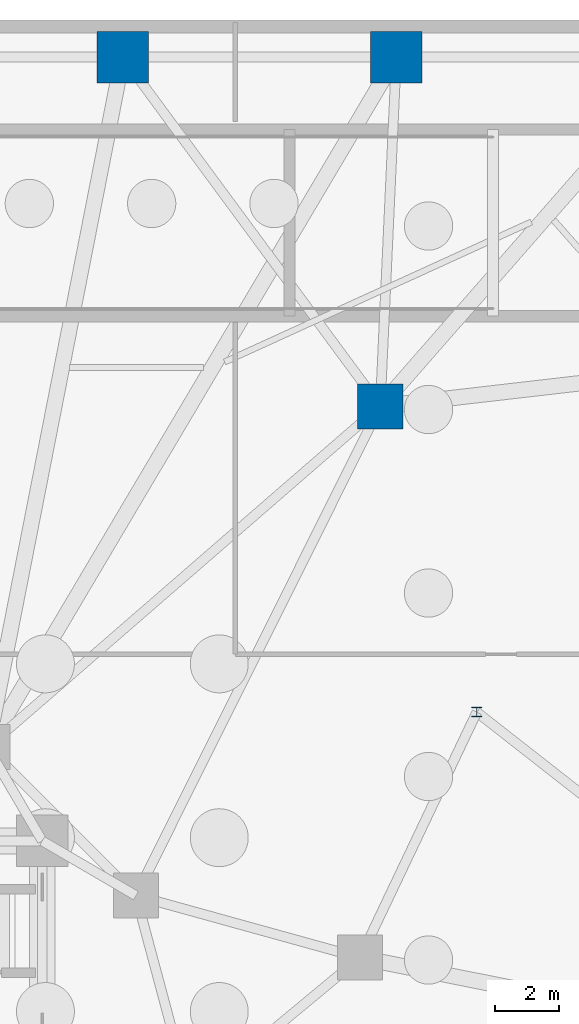
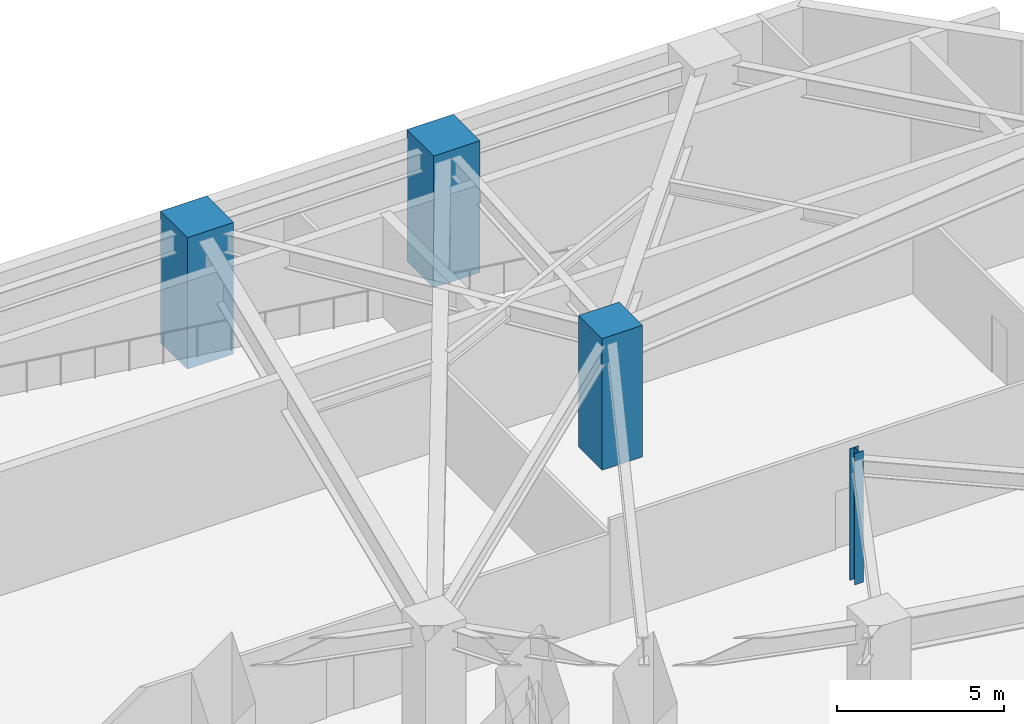
# One storey, part 7 of 20: 4 columns.
"""IFC4 building model written with IfcOpenShell, lengths in metres."""

from ifc_helpers import new_model, si_unit, direction, frame, origin, origin_2d, place, context, subcontext, project, spatial, rectangle, i_section, extrude, material, material_profile, profile_set, type_object, element, save


model = new_model("IFC4")

# Units and contexts
model_context = context("Model", 3, precision=1e-05, world=origin(), true_north=direction((0.0, 1.0)))
body_context = subcontext(model_context, "Body", "Model", "MODEL_VIEW")
ifc_project = project(units=[si_unit("LENGTHUNIT", "METRE"), si_unit("AREAUNIT", "SQUARE_METRE"), si_unit("VOLUMEUNIT", "CUBIC_METRE"), si_unit("PLANEANGLEUNIT", "RADIAN"), si_unit("MASSUNIT", "GRAM", prefix="KILO")], contexts=[model_context])

# Site, building, storey
site_placement = place(None, origin())
site = spatial("IfcSite", under=ifc_project, at=site_placement, CompositionType="ELEMENT")
building_placement = place(site_placement, origin())
building = spatial("IfcBuilding", under=site, at=building_placement, Name="Terralouvre Media Tower", CompositionType="ELEMENT")
storey_placement = place(building_placement, frame((0.0, 0.0, -9.60009765625)))
storey = spatial("IfcBuildingStorey", under=building, at=storey_placement, Name="B02", CompositionType="ELEMENT", Elevation=-9.60009765625)

# Columns
ifc_material_1 = material(Name="Structural steel S355J2", Category="steel")
ifc_material_profile_1 = material_profile(ifc_material_1, i_section(OverallWidth=0.300048828125, OverallDepth=0.300048828125, WebThickness=0.010986328125, FlangeThickness=0.01904296875, at=origin_2d()), Name="HEB 300")
ifc_profile_set_1 = profile_set([ifc_material_profile_1], Name="Structural steel S355J2")
column_type_1 = type_object("IfcColumnType", Name="Basement Aisle Pilaster PL-HEB300 (HEB 300)", PredefinedType="PILASTER", material=ifc_profile_set_1)
column_1_placement = place(storey_placement, frame((21.5, 12.0, 0.0), z_axis=(0.0, 0.0, 1.0), x_axis=(1.0, 0.0, 0.0)))
element("IfcColumn", 1, at=column_1_placement, inside=storey, type_object=column_type_1, Name="B02 Car-Park Aisle Pilaster A4", PredefinedType="PILASTER", context=body_context, shape_type="SweptSolid", body=[
    extrude(i_section(OverallWidth=0.300048828125, OverallDepth=0.300048828125, WebThickness=0.010986328125, FlangeThickness=0.01904296875, at=origin_2d()), origin(), (0.0, 0.0, 1.0), 4.800048828125),
])
ifc_material_2 = material(Name="Concrete C60/75", Category="concrete")
ifc_material_profile_2 = material_profile(ifc_material_2, rectangle(XDim=1.39990234375, YDim=1.39990234375, at=origin_2d()), Name="RC 1400x1400")
ifc_profile_set_2 = profile_set([ifc_material_profile_2], Name="Concrete C60/75")
column_type_2 = type_object("IfcColumnType", Name="Structural Column C-RC1400 (RC 1400x1400)", PredefinedType="COLUMN", material=ifc_profile_set_2)
column_2_placement = place(storey_placement, frame((18.5, 21.5, 0.0), z_axis=(0.0, 0.0, 1.0), x_axis=(1.0, 0.0, 0.0)))
element("IfcColumn", 2, at=column_2_placement, inside=storey, type_object=column_type_2, Name="B02 Podium Transfer Column PM20", PredefinedType="COLUMN", context=body_context, shape_type="SweptSolid", body=[
    extrude(rectangle(XDim=1.39990234375, YDim=1.39990234375, at=origin_2d()), origin(), (0.0, 0.0, 1.0), 4.800048828125),
])
ifc_material_3 = material(Name="Concrete C60/75", Category="concrete")
ifc_material_profile_3 = material_profile(ifc_material_3, rectangle(XDim=1.60009765625, YDim=1.60009765625, at=origin_2d()), Name="RC 1600x1600")
ifc_profile_set_3 = profile_set([ifc_material_profile_3], Name="Concrete C60/75")
column_type_3 = type_object("IfcColumnType", Name="Structural Column C-RC1600 (RC 1600x1600)", PredefinedType="COLUMN", material=ifc_profile_set_3)
for number, where, z_axis, x_axis, name in (
    (3, (19.0, 32.35009765625, 0.0), (0.0, 0.0, 1.0), (1.0, 0.0, 0.0), "B02 Perimeter Mega-Column PM11"),
    (4, (10.5, 32.35009765625, 0.0), (0.0, 0.0, 1.0), (1.0, 0.0, 0.0), "B02 Perimeter Mega-Column PM12"),
):
    element("IfcColumn", number, at=place(storey_placement, frame(where, z_axis=z_axis, x_axis=x_axis)), inside=storey, type_object=column_type_3, Name=name, PredefinedType="COLUMN", context=body_context, shape_type="SweptSolid", body=[
        extrude(rectangle(XDim=1.60009765625, YDim=1.60009765625, at=origin_2d()), origin(), (0.0, 0.0, 1.0), 4.800048828125),
    ])

save(model, "model.ifc")
